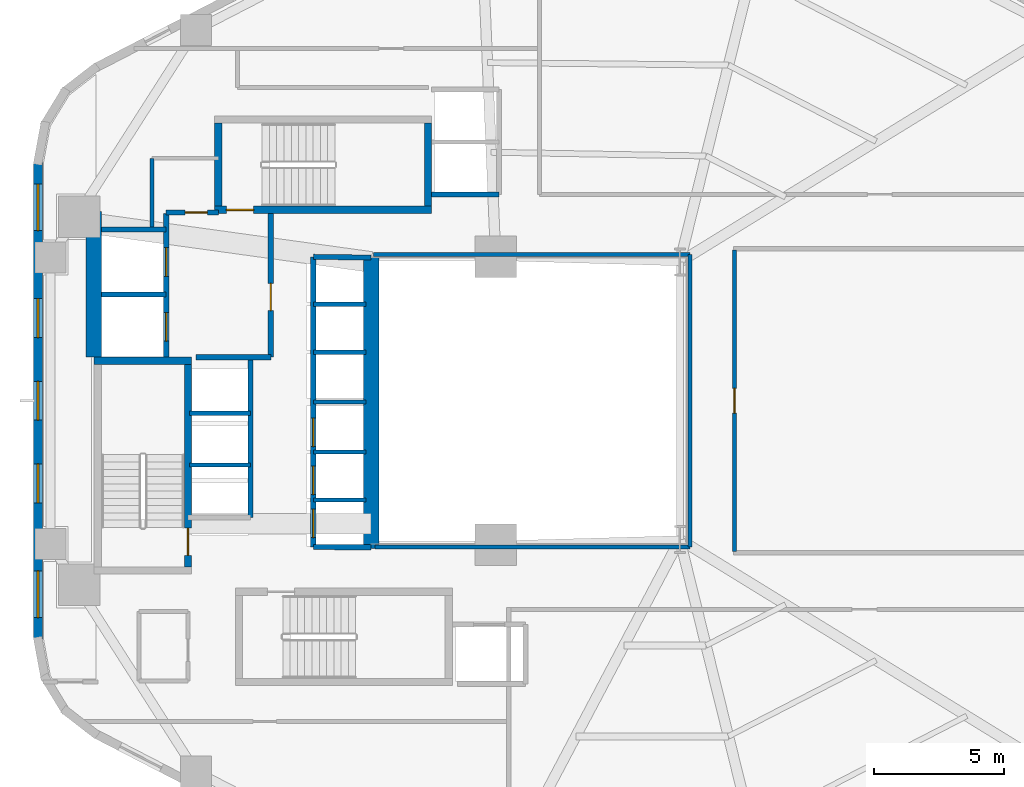
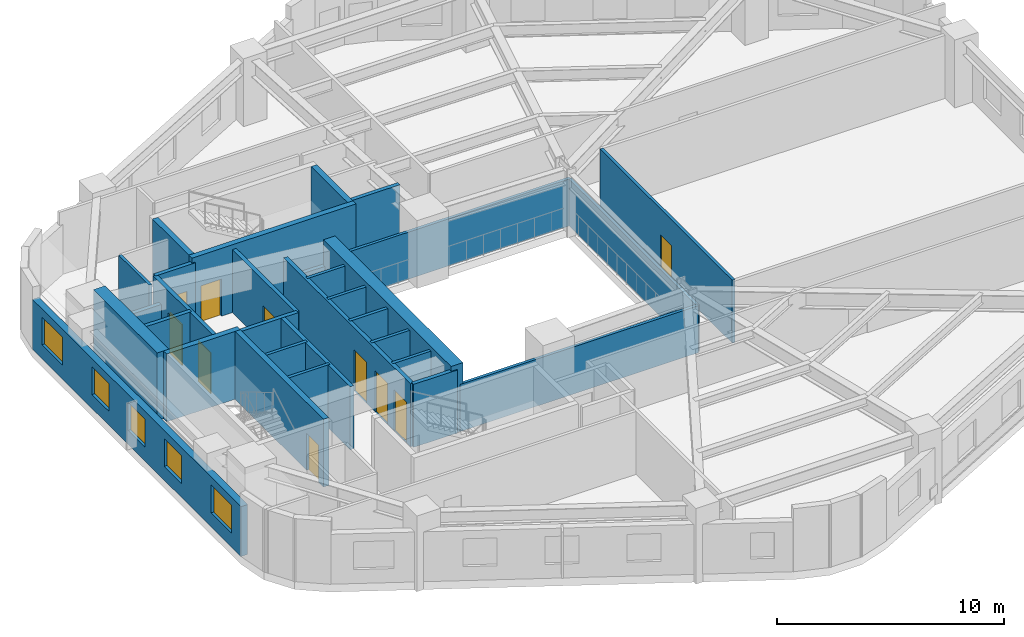
# One storey, part 3 of 7: 31 walls, 10 doors, 5 windows, 15 openings.
"""IFC4 building model written with IfcOpenShell, lengths in metres."""

from ifc_helpers import new_model, si_unit, direction, frame, frame_2d, origin, place, context, subcontext, project, spatial, rectangle, extrude, material, layer, layer_set, type_object, element, fill, save


model = new_model("IFC4")

# Units and contexts
model_context = context("Model", 3, precision=1e-05, world=origin(), true_north=direction((0.0, 1.0)))
body_context = subcontext(model_context, "Body", "Model", "MODEL_VIEW")
ifc_project = project(units=[si_unit("LENGTHUNIT", "METRE"), si_unit("AREAUNIT", "SQUARE_METRE"), si_unit("VOLUMEUNIT", "CUBIC_METRE"), si_unit("PLANEANGLEUNIT", "RADIAN"), si_unit("MASSUNIT", "GRAM", prefix="KILO"), si_unit("THERMODYNAMICTEMPERATUREUNIT", "KELVIN"), si_unit("POWERUNIT", "WATT")], contexts=[model_context])

# Site, building, storey
site_placement = place(None, origin())
site = spatial("IfcSite", under=ifc_project, at=site_placement, CompositionType="ELEMENT")
building_placement = place(site_placement, origin())
building = spatial("IfcBuilding", under=site, at=building_placement, Name="Skarre Station Tower", CompositionType="ELEMENT")
storey_placement = place(building_placement, frame((0.0, 0.0, 27.0)))
storey = spatial("IfcBuildingStorey", under=building, at=storey_placement, Name="L06", CompositionType="ELEMENT", Elevation=27.0)

# Walls
ifc_material_1 = material(Name="Acoustic Steel-Stud Gypsum Partition", Category="steel")
ifc_layer_1 = layer(ifc_material_1, 0.14990234375, Name="Acoustic Steel-Stud Gypsum Partition")
ifc_layer_set_1 = layer_set([ifc_layer_1], Name="Acoustic Steel-Stud Gypsum Partition")
wall_type_1 = type_object("IfcWallType", Name="Fire-Rated Corridor Acoustic Partition 150", PredefinedType="PARTITIONING", material=ifc_layer_set_1)
wall_1_placement = place(storey_placement, frame((19.10009765625, 33.35009765625, 0.0), z_axis=(0.0, 0.0, 1.0), x_axis=(0.0, -1.0, 0.0)))
element("IfcWall", 1, at=wall_1_placement, inside=storey, type_object=wall_type_1, Name="L06 Interior Partition WL-PT-L06-CNW-W", PredefinedType="PARTITIONING", context=body_context, shape_type="SweptSolid", body=[
    extrude(rectangle(XDim=2.655029296875, YDim=0.14990234375, at=frame_2d((1.32763671875, 0.0))), origin(), (0.0, 0.0, 1.0), 3.389892578125),
])
wall_2_placement = place(storey_placement, frame((27.699951171875, 18.360107421875, 0.0), z_axis=(0.0, 0.0, 1.0), x_axis=(1.0, 0.0, 0.0)))
element("IfcWall", 2, at=wall_2_placement, inside=storey, type_object=wall_type_1, Name="L06 Interior Partition WL-PT-L06-ATRW-S", PredefinedType="PARTITIONING", context=body_context, shape_type="SweptSolid", body=[
    extrude(rectangle(XDim=12.14013671875, YDim=0.14990234375, at=frame_2d((6.070068359375, 0.0))), origin(), (0.0, 0.0, 1.0), 2.531005859375),
])
wall_3_placement = place(storey_placement, frame((39.840087890625, 29.639892578125, 0.0), z_axis=(0.0, 0.0, 1.0), x_axis=(-1.0, 0.0, 0.0)))
element("IfcWall", 3, at=wall_3_placement, inside=storey, type_object=wall_type_1, Name="L06 Interior Partition WL-PT-L06-ATRW-N", PredefinedType="PARTITIONING", context=body_context, shape_type="SweptSolid", body=[
    extrude(rectangle(XDim=12.2001953125, YDim=0.14990234375, at=frame_2d((6.10009765625, 0.0))), origin(), (0.0, 0.0, 1.0), 2.531005859375),
])
wall_4_placement = place(storey_placement, frame((39.840087890625, 18.360107421875, 0.0), z_axis=(0.0, 0.0, 1.0), x_axis=(0.0, 1.0, 0.0)))
element("IfcWall", 4, at=wall_4_placement, inside=storey, type_object=wall_type_1, Name="L06 Interior Partition WL-PT-L06-ATRW-E", PredefinedType="PARTITIONING", context=body_context, shape_type="SweptSolid", body=[
    extrude(rectangle(XDim=11.27978515625, YDim=0.14990234375, at=frame_2d((5.639892578125, 0.0))), origin(), (0.0, 0.0, 1.0), 2.512939453125),
])

# Wall, opening, door
wall_5_placement = place(storey_placement, frame((41.56005859375, 18.179931640625, 0.0), z_axis=(0.0, 0.0, 1.0), x_axis=(0.0, 1.0, 0.0)))
wall_5 = element("IfcWall", 5, at=wall_5_placement, inside=storey, type_object=wall_type_1, Name="L06 Interior Partition WL-PT-L06-EW1-CW", PredefinedType="PARTITIONING", context=body_context, shape_type="SweptSolid", body=[
    extrude(rectangle(XDim=11.64013671875, YDim=0.14990234375, at=frame_2d((5.820068359375, 0.0))), origin(), (0.0, 0.0, 1.0), 3.389892578125),
])
opening_1_placement = place(wall_5_placement, frame((5.340087890625, 0.0, 0.0)))
opening_1 = element("IfcOpeningElement", 6, at=opening_1_placement, cuts=wall_5, Name="Opening DR-FD60", PredefinedType="OPENING", context=body_context, shape_type="SweptSolid", body=[
    extrude(rectangle(XDim=0.9599609375, YDim=2.0, at=frame_2d((0.47998046875, 1.0))), frame((0.0, 0.0849609375, 0.0), z_axis=(0.0, -1.0, 0.0), x_axis=(1.0, 0.0, 0.0)), (0.0, 0.0, 1.0), 0.169921875),
])
ifc_material_2 = material(Name="Nordic White-Oak Veneer Solid-Core Fire Leaf", Category="wood")
door_type_1 = type_object("IfcDoorType", Name="Corridor Suite Entry Fire Door FD60 960x2150", OperationType="SINGLE_SWING_LEFT", PredefinedType="DOOR", material=ifc_material_2)
door_1_placement = place(opening_1_placement, origin())
door_1 = element("IfcDoor", 7, at=door_1_placement, inside=storey, type_object=door_type_1, Name="L06 EW1 Entry Door", OperationType="SINGLE_SWING_LEFT", OverallHeight=2.0, OverallWidth=0.9599609375, PredefinedType="DOOR", context=body_context, shape_type="SweptSolid", body=[
    extrude(rectangle(XDim=0.9599609375, YDim=2.0, at=frame_2d((0.47998046875, 1.0))), frame((0.0, 0.02490234375, 0.0), z_axis=(0.0, -1.0, 0.0), x_axis=(1.0, 0.0, 0.0)), (0.0, 0.0, 1.0), 0.050048828125),
])
fill(opening_1, door_1)

# Wall, openings, windows
ifc_material_3 = material(Name="Precast concrete C45/55", Category="concrete")
ifc_layer_2 = layer(ifc_material_3, 0.340087890625, Name="Precast concrete C45/55")
ifc_layer_set_2 = layer_set([ifc_layer_2], Name="Precast concrete C45/55")
wall_type_2 = type_object("IfcWallType", Name="Nordic Honed Precast Facet Wall 340", PredefinedType="STANDARD", material=ifc_layer_set_2)
wall_6_placement = place(storey_placement, frame((14.70703125, 14.798095703125, 0.0), z_axis=(0.0, 0.0, 1.0), x_axis=(0.0, 1.0, 0.0)))
wall_6 = element("IfcWall", 8, at=wall_6_placement, inside=storey, type_object=wall_type_2, Name="L06 Facet 2 Nordic Precast Masonry Wall", PredefinedType="STANDARD", context=body_context, shape_type="SweptSolid", body=[
    extrude(rectangle(XDim=18.40380859375, YDim=0.340087890625, at=frame_2d((9.201904296875, 0.0))), origin(), (0.0, 0.0, 1.0), 2.68408203125),
])
opening_2_placement = place(wall_6_placement, frame((0.844970703125, 0.0, 0.75)))
opening_2 = element("IfcOpeningElement", 9, at=opening_2_placement, cuts=wall_6, Name="Opening WN-Z1A", PredefinedType="OPENING", context=body_context, shape_type="SweptSolid", body=[
    extrude(rectangle(XDim=1.800048828125, YDim=1.5, at=frame_2d((0.89990234375, 0.75))), frame((0.0, 0.179931640625, 0.0), z_axis=(0.0, -1.0, 0.0), x_axis=(1.0, 0.0, 0.0)), (0.0, 0.0, 1.0), 0.360107421875),
])
opening_3_placement = place(wall_6_placement, frame((5.264892578125, 0.0, 0.75)))
opening_3 = element("IfcOpeningElement", 10, at=opening_3_placement, cuts=wall_6, Name="Opening WN-Z1B", PredefinedType="OPENING", context=body_context, shape_type="SweptSolid", body=[
    extrude(rectangle(XDim=1.5, YDim=1.5, at=frame_2d((0.75, 0.75))), frame((0.0, 0.179931640625, 0.0), z_axis=(0.0, -1.0, 0.0), x_axis=(1.0, 0.0, 0.0)), (0.0, 0.0, 1.0), 0.360107421875),
])
opening_4_placement = place(wall_6_placement, frame((8.451904296875, 0.0, 0.75)))
opening_4 = element("IfcOpeningElement", 11, at=opening_4_placement, cuts=wall_6, Name="Opening WN-Z1B", PredefinedType="OPENING", context=body_context, shape_type="SweptSolid", body=[
    extrude(rectangle(XDim=1.5, YDim=1.5, at=frame_2d((0.75, 0.75))), frame((0.0, 0.179931640625, 0.0), z_axis=(0.0, -1.0, 0.0), x_axis=(1.0, 0.0, 0.0)), (0.0, 0.0, 1.0), 0.360107421875),
])
opening_5_placement = place(wall_6_placement, frame((11.638916015625, 0.0, 0.75)))
opening_5 = element("IfcOpeningElement", 12, at=opening_5_placement, cuts=wall_6, Name="Opening WN-Z1B", PredefinedType="OPENING", context=body_context, shape_type="SweptSolid", body=[
    extrude(rectangle(XDim=1.5, YDim=1.5, at=frame_2d((0.75, 0.75))), frame((0.0, 0.179931640625, 0.0), z_axis=(0.0, -1.0, 0.0), x_axis=(1.0, 0.0, 0.0)), (0.0, 0.0, 1.0), 0.360107421875),
])
opening_6_placement = place(wall_6_placement, frame((15.758056640625, 0.0, 0.75)))
opening_6 = element("IfcOpeningElement", 13, at=opening_6_placement, cuts=wall_6, Name="Opening WN-Z1A", PredefinedType="OPENING", context=body_context, shape_type="SweptSolid", body=[
    extrude(rectangle(XDim=1.800048828125, YDim=1.5, at=frame_2d((0.89990234375, 0.75))), frame((0.0, 0.179931640625, 0.0), z_axis=(0.0, -1.0, 0.0), x_axis=(1.0, 0.0, 0.0)), (0.0, 0.0, 1.0), 0.360107421875),
])
ifc_material_4 = material(Name="Low-Iron Triple Glazing with Bronze Anodized Frame", Category="glass")
window_type_1 = type_object("IfcWindowType", Name="Nordic Punched Triple-Glazed Window 1500x1500", PartitioningType="SINGLE_PANEL", PredefinedType="WINDOW", material=ifc_material_4)
window_1_placement = place(opening_3_placement, origin())
window_1 = element("IfcWindow", 14, at=window_1_placement, inside=storey, type_object=window_type_1, Name="L06 Facade Window WL-FAC-L06-F2-2", OverallHeight=1.5, OverallWidth=1.5, PartitioningType="SINGLE_PANEL", PredefinedType="WINDOW", context=body_context, shape_type="SweptSolid", body=[
    extrude(rectangle(XDim=1.5, YDim=1.5, at=frame_2d((0.75, 0.75))), frame((0.0, 0.030029296875, 0.0), z_axis=(0.0, -1.0, 0.0), x_axis=(1.0, 0.0, 0.0)), (0.0, 0.0, 1.0), 0.06005859375),
])
fill(opening_3, window_1)
window_2_placement = place(opening_4_placement, origin())
window_2 = element("IfcWindow", 15, at=window_2_placement, inside=storey, type_object=window_type_1, Name="L06 Facade Window WL-FAC-L06-F2-3", OverallHeight=1.5, OverallWidth=1.5, PartitioningType="SINGLE_PANEL", PredefinedType="WINDOW", context=body_context, shape_type="SweptSolid", body=[
    extrude(rectangle(XDim=1.5, YDim=1.5, at=frame_2d((0.75, 0.75))), frame((0.0, 0.030029296875, 0.0), z_axis=(0.0, -1.0, 0.0), x_axis=(1.0, 0.0, 0.0)), (0.0, 0.0, 1.0), 0.06005859375),
])
fill(opening_4, window_2)
window_3_placement = place(opening_5_placement, origin())
window_3 = element("IfcWindow", 16, at=window_3_placement, inside=storey, type_object=window_type_1, Name="L06 Facade Window WL-FAC-L06-F2-4", OverallHeight=1.5, OverallWidth=1.5, PartitioningType="SINGLE_PANEL", PredefinedType="WINDOW", context=body_context, shape_type="SweptSolid", body=[
    extrude(rectangle(XDim=1.5, YDim=1.5, at=frame_2d((0.75, 0.75))), frame((0.0, 0.030029296875, 0.0), z_axis=(0.0, -1.0, 0.0), x_axis=(1.0, 0.0, 0.0)), (0.0, 0.0, 1.0), 0.06005859375),
])
fill(opening_5, window_3)
window_type_2 = type_object("IfcWindowType", Name="Nordic Punched Triple-Glazed Window 1800x1500", PartitioningType="SINGLE_PANEL", PredefinedType="WINDOW", material=ifc_material_4)
window_4_placement = place(opening_2_placement, origin())
window_4 = element("IfcWindow", 17, at=window_4_placement, inside=storey, type_object=window_type_2, Name="L06 Facade Window WL-FAC-L06-F2-1", OverallHeight=1.5, OverallWidth=1.800048828125, PartitioningType="SINGLE_PANEL", PredefinedType="WINDOW", context=body_context, shape_type="SweptSolid", body=[
    extrude(rectangle(XDim=1.800048828125, YDim=1.5, at=frame_2d((0.89990234375, 0.75))), frame((0.0, 0.030029296875, 0.0), z_axis=(0.0, -1.0, 0.0), x_axis=(1.0, 0.0, 0.0)), (0.0, 0.0, 1.0), 0.06005859375),
])
fill(opening_2, window_4)
window_5_placement = place(opening_6_placement, origin())
window_5 = element("IfcWindow", 18, at=window_5_placement, inside=storey, type_object=window_type_2, Name="L06 Facade Window WL-FAC-L06-F2-5", OverallHeight=1.5, OverallWidth=1.800048828125, PartitioningType="SINGLE_PANEL", PredefinedType="WINDOW", context=body_context, shape_type="SweptSolid", body=[
    extrude(rectangle(XDim=1.800048828125, YDim=1.5, at=frame_2d((0.89990234375, 0.75))), frame((0.0, 0.030029296875, 0.0), z_axis=(0.0, -1.0, 0.0), x_axis=(1.0, 0.0, 0.0)), (0.0, 0.0, 1.0), 0.06005859375),
])
fill(opening_6, window_5)

# Wall
ifc_material_5 = material(Name="Concrete C50/60", Category="concrete")
ifc_layer_3 = layer(ifc_material_5, 0.280029296875, Name="Concrete C50/60")
ifc_layer_set_3 = layer_set([ifc_layer_3], Name="Concrete C50/60")
wall_type_3 = type_object("IfcWallType", Name="RC Core Shear Wall 280", PredefinedType="SHEAR", material=ifc_layer_set_3)
wall_7_placement = place(storey_placement, frame((20.6298828125, 25.5400390625, 0.0), z_axis=(0.0, 0.0, 1.0), x_axis=(-1.0, 0.0, 0.0)))
element("IfcWall", 19, at=wall_7_placement, inside=storey, type_object=wall_type_3, Name="L06 Stair ST-1 North Shear Wall", PredefinedType="SHEAR", context=body_context, shape_type="SweptSolid", body=[
    extrude(rectangle(XDim=3.759765625, YDim=0.280029296875, at=frame_2d((1.8798828125, 0.0))), origin(), (0.0, 0.0, 1.0), 3.64990234375),
])

# Wall, opening, door
wall_8_placement = place(storey_placement, frame((20.489990234375, 17.60009765625, 0.0), z_axis=(0.0, 0.0, 1.0), x_axis=(0.0, 1.0, 0.0)))
wall_8 = element("IfcWall", 20, at=wall_8_placement, inside=storey, type_object=wall_type_3, Name="L06 Stair ST-1 East Shear Wall", PredefinedType="SHEAR", context=body_context, shape_type="SweptSolid", body=[
    extrude(rectangle(XDim=7.7998046875, YDim=0.280029296875, at=frame_2d((3.89990234375, 0.0))), origin(), (0.0, 0.0, 1.0), 3.64990234375),
])
opening_7_placement = place(wall_8_placement, frame((0.43994140625, 0.0, 0.0)))
opening_7 = element("IfcOpeningElement", 21, at=opening_7_placement, cuts=wall_8, Name="Opening DR-FD90", PredefinedType="OPENING", context=body_context, shape_type="SweptSolid", body=[
    extrude(rectangle(XDim=1.050048828125, YDim=2.0, at=frame_2d((0.52490234375, 1.0))), frame((0.0, 0.14990234375, 0.0), z_axis=(0.0, -1.0, 0.0), x_axis=(1.0, 0.0, 0.0)), (0.0, 0.0, 1.0), 0.300048828125),
])
ifc_material_6 = material(Name="Fire-Rated Insulated Steel Frame & Timber Core Leaf", Category="steel")
door_type_2 = type_object("IfcDoorType", Name="Stair & FSAE Lobby Fire Door FD90 1050x2150", OperationType="SINGLE_SWING_RIGHT", PredefinedType="DOOR", material=ifc_material_6)
door_2_placement = place(opening_7_placement, origin())
door_2 = element("IfcDoor", 22, at=door_2_placement, inside=storey, type_object=door_type_2, Name="L06 Stair ST-1 Exit Door", OperationType="SINGLE_SWING_RIGHT", OverallHeight=2.0, OverallWidth=1.050048828125, PredefinedType="DOOR", context=body_context, shape_type="SweptSolid", body=[
    extrude(rectangle(XDim=1.050048828125, YDim=2.0, at=frame_2d((0.52490234375, 1.0))), frame((0.0, 0.02490234375, 0.0), z_axis=(0.0, -1.0, 0.0), x_axis=(1.0, 0.0, 0.0)), (0.0, 0.0, 1.0), 0.050048828125),
])
fill(opening_7, door_2)

wall_9_placement = place(storey_placement, frame((21.52001953125, 31.360107421875, 0.0), z_axis=(0.0, 0.0, 1.0), x_axis=(1.0, 0.0, 0.0)))
wall_9 = element("IfcWall", 23, at=wall_9_placement, inside=storey, type_object=wall_type_3, Name="L06 Stair ST-3 South Shear Wall", PredefinedType="SHEAR", context=body_context, shape_type="SweptSolid", body=[
    extrude(rectangle(XDim=8.35986328125, YDim=0.280029296875, at=frame_2d((4.179931640625, 0.0))), origin(), (0.0, 0.0, 1.0), 3.64990234375),
])
opening_8_placement = place(wall_9_placement, frame((0.449951171875, 0.0, 0.0)))
opening_8 = element("IfcOpeningElement", 24, at=opening_8_placement, cuts=wall_9, Name="Opening DR-FD90", PredefinedType="OPENING", context=body_context, shape_type="SweptSolid", body=[
    extrude(rectangle(XDim=1.050048828125, YDim=2.0, at=frame_2d((0.52490234375, 1.0))), frame((0.0, 0.14990234375, 0.0), z_axis=(0.0, -1.0, 0.0), x_axis=(1.0, 0.0, 0.0)), (0.0, 0.0, 1.0), 0.300048828125),
])
door_3_placement = place(opening_8_placement, origin())
door_3 = element("IfcDoor", 25, at=door_3_placement, inside=storey, type_object=door_type_2, Name="L06 Stair ST-3 & FSAE Lobby Direct Exit Door", OperationType="SINGLE_SWING_LEFT", OverallHeight=2.0, OverallWidth=1.050048828125, PredefinedType="DOOR", context=body_context, shape_type="SweptSolid", body=[
    extrude(rectangle(XDim=1.050048828125, YDim=2.0, at=frame_2d((0.52490234375, 1.0))), frame((0.0, 0.02490234375, 0.0), z_axis=(0.0, -1.0, 0.0), x_axis=(1.0, 0.0, 0.0)), (0.0, 0.0, 1.0), 0.050048828125),
])
fill(opening_8, door_3)

# Walls
for number, where, z_axis, x_axis, name in (
    (26, (21.659912109375, 34.699951171875, 0.0), (0.0, 0.0, 1.0), (0.0, -1.0, 0.0), "L06 Stair ST-3 West Shear Wall"),
    (27, (29.739990234375, 31.5, 0.0), (0.0, 0.0, 1.0), (0.0, 1.0, 0.0), "L06 Stair ST-3 East Shear Wall"),
):
    element("IfcWall", number, at=place(storey_placement, frame(where, z_axis=z_axis, x_axis=x_axis)), inside=storey, type_object=wall_type_3, Name=name, PredefinedType="SHEAR", context=body_context, shape_type="SweptSolid", body=[
        extrude(rectangle(XDim=3.199951171875, YDim=0.280029296875, at=frame_2d((1.60009765625, 0.0))), origin(), (0.0, 0.0, 1.0), 3.64990234375),
    ])
ifc_material_7 = material(Name="Concrete C70/85", Category="concrete")
ifc_layer_4 = layer(ifc_material_7, 0.60009765625, Name="Concrete C70/85")
ifc_layer_set_4 = layer_set([ifc_layer_4], Name="Concrete C70/85")
wall_type_4 = type_object("IfcWallType", Name="RC Core Shear Wall 600", PredefinedType="SHEAR", material=ifc_layer_set_4)
wall_10_placement = place(storey_placement, frame((16.85009765625, 25.679931640625, 0.0), z_axis=(0.0, 0.0, 1.0), x_axis=(0.0, 1.0, 0.0)))
element("IfcWall", 28, at=wall_10_placement, inside=storey, type_object=wall_type_4, Name="L06 Core West-North Shear Wall", PredefinedType="SHEAR", context=body_context, shape_type="SweptSolid", body=[
    extrude(rectangle(XDim=5.6201171875, YDim=0.60009765625, at=frame_2d((2.81005859375, 0.0))), origin(), (0.0, 0.0, 1.0), 3.64990234375),
])
wall_11_placement = place(storey_placement, frame((27.550048828125, 29.550048828125, 0.0), z_axis=(0.0, 0.0, 1.0), x_axis=(0.0, -1.0, 0.0)))
element("IfcWall", 29, at=wall_11_placement, inside=storey, type_object=wall_type_4, Name="L06 Core East Atrium Shear Wall", PredefinedType="SHEAR", context=body_context, shape_type="SweptSolid", body=[
    extrude(rectangle(XDim=11.25, YDim=0.60009765625, at=frame_2d((5.625, 0.0))), origin(), (0.0, 0.0, 1.0), 3.64990234375),
])

# Wall, openings, doors
ifc_material_8 = material(Name="Gypsum Concrete Shaft Assembly C30/37", Category="concrete")
ifc_layer_5 = layer(ifc_material_8, 0.199951171875, Name="Gypsum Concrete Shaft Assembly C30/37")
ifc_layer_set_5 = layer_set([ifc_layer_5], Name="Gypsum Concrete Shaft Assembly C30/37")
wall_type_5 = type_object("IfcWallType", Name="Shaft & Core Fire Partition 200", PredefinedType="PARTITIONING", material=ifc_layer_set_5)
wall_12_placement = place(storey_placement, frame((19.64990234375, 25.679931640625, 0.0), z_axis=(0.0, 0.0, 1.0), x_axis=(0.0, 1.0, 0.0)))
wall_12 = element("IfcWall", 30, at=wall_12_placement, inside=storey, type_object=wall_type_5, Name="L06 Interior Partition WL-PT-L06-FSAE-W", PredefinedType="PARTITIONING", context=body_context, shape_type="SweptSolid", body=[
    extrude(rectangle(XDim=5.5400390625, YDim=0.199951171875, at=frame_2d((2.77001953125, 0.0))), origin(), (0.0, 0.0, 1.0), 3.389892578125),
])
opening_9_placement = place(wall_12_placement, frame((0.6201171875, 0.0, 0.0)))
opening_9 = element("IfcOpeningElement", 31, at=opening_9_placement, cuts=wall_12, Name="Opening LD-FF1", PredefinedType="OPENING", context=body_context, shape_type="SweptSolid", body=[
    extrude(rectangle(XDim=1.10009765625, YDim=2.199951171875, at=frame_2d((0.550048828125, 1.10009765625))), frame((0.0, 0.10986328125, 0.0), z_axis=(0.0, -1.0, 0.0), x_axis=(1.0, 0.0, 0.0)), (0.0, 0.0, 1.0), 0.219970703125),
])
opening_10_placement = place(wall_12_placement, frame((3.1201171875, 0.0, 0.0)))
opening_10 = element("IfcOpeningElement", 32, at=opening_10_placement, cuts=wall_12, Name="Opening LD-FF2", PredefinedType="OPENING", context=body_context, shape_type="SweptSolid", body=[
    extrude(rectangle(XDim=1.10009765625, YDim=2.199951171875, at=frame_2d((0.550048828125, 1.10009765625))), frame((0.0, 0.10986328125, 0.0), z_axis=(0.0, -1.0, 0.0), x_axis=(1.0, 0.0, 0.0)), (0.0, 0.0, 1.0), 0.219970703125),
])
ifc_material_9 = material(Name="Fire-Rated Stainless Steel Grade 316L Sliding Leaves", Category="steel")
door_type_3 = type_object("IfcDoorType", Name="Fire Service Access Elevator Sliding Landing Door 1100x2200", OperationType="SLIDING_TO_LEFT", PredefinedType="DOOR", material=ifc_material_9)
door_4_placement = place(opening_9_placement, origin())
door_4 = element("IfcDoor", 33, at=door_4_placement, inside=storey, type_object=door_type_3, Name="L06 Firefighting Lift LF-FF1 Landing Door", OperationType="SLIDING_TO_LEFT", OverallHeight=2.199951171875, OverallWidth=1.10009765625, PredefinedType="DOOR", context=body_context, shape_type="SweptSolid", body=[
    extrude(rectangle(XDim=1.10009765625, YDim=2.199951171875, at=frame_2d((0.550048828125, 1.10009765625))), frame((0.0, 0.02490234375, 0.0), z_axis=(0.0, -1.0, 0.0), x_axis=(1.0, 0.0, 0.0)), (0.0, 0.0, 1.0), 0.050048828125),
])
fill(opening_9, door_4)
door_5_placement = place(opening_10_placement, origin())
door_5 = element("IfcDoor", 34, at=door_5_placement, inside=storey, type_object=door_type_3, Name="L06 Firefighting Lift LF-FF2 Landing Door", OperationType="SLIDING_TO_LEFT", OverallHeight=2.199951171875, OverallWidth=1.10009765625, PredefinedType="DOOR", context=body_context, shape_type="SweptSolid", body=[
    extrude(rectangle(XDim=1.10009765625, YDim=2.199951171875, at=frame_2d((0.550048828125, 1.10009765625))), frame((0.0, 0.02490234375, 0.0), z_axis=(0.0, -1.0, 0.0), x_axis=(1.0, 0.0, 0.0)), (0.0, 0.0, 1.0), 0.050048828125),
])
fill(opening_10, door_5)

# Wall
wall_13_placement = place(storey_placement, frame((20.79296875, 25.679931640625, 0.0), z_axis=(0.0, 0.0, 1.0), x_axis=(1.0, 0.0, 0.0)))
element("IfcWall", 35, at=wall_13_placement, inside=storey, type_object=wall_type_5, Name="L06 Interior Partition WL-PT-L06-FSAE-S", PredefinedType="PARTITIONING", context=body_context, shape_type="SweptSolid", body=[
    extrude(rectangle(XDim=2.886962890625, YDim=0.199951171875, at=frame_2d((1.443359375, 0.0))), origin(), (0.0, 0.0, 1.0), 3.389892578125),
])

# Wall, opening, door
wall_14_placement = place(storey_placement, frame((23.679931640625, 25.679931640625, 0.0), z_axis=(0.0, 0.0, 1.0), x_axis=(0.0, 1.0, 0.0)))
wall_14 = element("IfcWall", 36, at=wall_14_placement, inside=storey, type_object=wall_type_5, Name="L06 Interior Partition WL-PT-L06-FSAE-E", PredefinedType="PARTITIONING", context=body_context, shape_type="SweptSolid", body=[
    extrude(rectangle(XDim=5.5400390625, YDim=0.199951171875, at=frame_2d((2.77001953125, 0.0))), origin(), (0.0, 0.0, 1.0), 3.389892578125),
])
opening_11_placement = place(wall_14_placement, frame((1.800048828125, 0.0, 0.0)))
opening_11 = element("IfcOpeningElement", 37, at=opening_11_placement, cuts=wall_14, Name="Opening DR-FD90", PredefinedType="OPENING", context=body_context, shape_type="SweptSolid", body=[
    extrude(rectangle(XDim=1.050048828125, YDim=2.0, at=frame_2d((0.52490234375, 1.0))), frame((0.0, 0.10986328125, 0.0), z_axis=(0.0, -1.0, 0.0), x_axis=(1.0, 0.0, 0.0)), (0.0, 0.0, 1.0), 0.219970703125),
])
door_6_placement = place(opening_11_placement, origin())
door_6 = element("IfcDoor", 38, at=door_6_placement, inside=storey, type_object=door_type_2, Name="L06 FSAE Lobby Fire Door", OperationType="SINGLE_SWING_RIGHT", OverallHeight=2.0, OverallWidth=1.050048828125, PredefinedType="DOOR", context=body_context, shape_type="SweptSolid", body=[
    extrude(rectangle(XDim=1.050048828125, YDim=2.0, at=frame_2d((0.52490234375, 1.0))), frame((0.0, 0.02490234375, 0.0), z_axis=(0.0, -1.0, 0.0), x_axis=(1.0, 0.0, 0.0)), (0.0, 0.0, 1.0), 0.050048828125),
])
fill(opening_11, door_6)

wall_15_placement = place(storey_placement, frame((21.659912109375, 31.260009765625, 0.0), z_axis=(0.0, 0.0, 1.0), x_axis=(-1.0, 0.0, 0.0)))
wall_15 = element("IfcWall", 39, at=wall_15_placement, inside=storey, type_object=wall_type_5, Name="L06 Interior Partition WL-PT-L06-FSAE-N", PredefinedType="PARTITIONING", context=body_context, shape_type="SweptSolid", body=[
    extrude(rectangle(XDim=2.010009765625, YDim=0.199951171875, at=frame_2d((1.0048828125, 0.0))), origin(), (0.0, 0.0, 1.0), 3.389892578125),
])
opening_12_placement = place(wall_15_placement, frame((0.419921875, 0.0, 0.0)))
opening_12 = element("IfcOpeningElement", 40, at=opening_12_placement, cuts=wall_15, Name="Opening DR-SVC86", PredefinedType="OPENING", context=body_context, shape_type="SweptSolid", body=[
    extrude(rectangle(XDim=0.860107421875, YDim=2.0, at=frame_2d((0.43017578125, 1.0))), frame((0.0, 0.10986328125, 0.0), z_axis=(0.0, -1.0, 0.0), x_axis=(1.0, 0.0, 0.0)), (0.0, 0.0, 1.0), 0.219970703125),
])
ifc_material_10 = material(Name="Powder-Coated Hollow-Metal Acoustic Fire Leaf", Category="steel")
door_type_4 = type_object("IfcDoorType", Name="Compact Riser Fire Door FD60 860x2100", OperationType="SINGLE_SWING_LEFT", PredefinedType="DOOR", material=ifc_material_10)
door_7_placement = place(opening_12_placement, origin())
door_7 = element("IfcDoor", 41, at=door_7_placement, inside=storey, type_object=door_type_4, Name="L06 Core Service Room Lobby Door", OperationType="SINGLE_SWING_LEFT", OverallHeight=2.0, OverallWidth=0.860107421875, PredefinedType="DOOR", context=body_context, shape_type="SweptSolid", body=[
    extrude(rectangle(XDim=0.860107421875, YDim=2.0, at=frame_2d((0.43017578125, 1.0))), frame((0.0, 0.02490234375, 0.0), z_axis=(0.0, -1.0, 0.0), x_axis=(1.0, 0.0, 0.0)), (0.0, 0.0, 1.0), 0.050048828125),
])
fill(opening_12, door_7)

# Walls
wall_16_placement = place(storey_placement, frame((17.14990234375, 28.10009765625, 0.0), z_axis=(0.0, 0.0, 1.0), x_axis=(1.0, 0.0, 0.0)))
element("IfcWall", 42, at=wall_16_placement, inside=storey, type_object=wall_type_5, Name="L06 Interior Partition WL-PT-L06-FF-DIV", PredefinedType="PARTITIONING", context=body_context, shape_type="SweptSolid", body=[
    extrude(rectangle(XDim=2.5, YDim=0.199951171875, at=frame_2d((1.25, 0.0))), origin(), (0.0, 0.0, 1.0), 3.389892578125),
])
wall_17_placement = place(storey_placement, frame((19.64990234375, 30.60009765625, 0.0), z_axis=(0.0, 0.0, 1.0), x_axis=(-1.0, 0.0, 0.0)))
element("IfcWall", 43, at=wall_17_placement, inside=storey, type_object=wall_type_5, Name="L06 Interior Partition WL-PT-L06-FF-N", PredefinedType="PARTITIONING", context=body_context, shape_type="SweptSolid", body=[
    extrude(rectangle(XDim=2.5, YDim=0.199951171875, at=frame_2d((1.25, 0.0))), origin(), (0.0, 0.0, 1.0), 2.2900390625),
])
wall_18_placement = place(storey_placement, frame((32.47998046875, 31.949951171875, 0.0), z_axis=(0.0, 0.0, 1.0), x_axis=(-1.0, 0.0, 0.0)))
element("IfcWall", 44, at=wall_18_placement, inside=storey, type_object=wall_type_5, Name="L06 Interior Partition WL-PT-L06-EX-S", PredefinedType="PARTITIONING", context=body_context, shape_type="SweptSolid", body=[
    extrude(rectangle(XDim=2.60009765625, YDim=0.199951171875, at=frame_2d((1.300048828125, 0.0))), origin(), (0.0, 0.0, 1.0), 3.389892578125),
])
wall_19_placement = place(storey_placement, frame((22.89990234375, 19.5, 0.0), z_axis=(0.0, 0.0, 1.0), x_axis=(0.0, 1.0, 0.0)))
element("IfcWall", 45, at=wall_19_placement, inside=storey, type_object=wall_type_5, Name="L06 Interior Partition WL-PT-L06-B3-E", PredefinedType="PARTITIONING", context=body_context, shape_type="SweptSolid", body=[
    extrude(rectangle(XDim=6.0849609375, YDim=0.199951171875, at=frame_2d((3.04248046875, 0.0))), origin(), (0.0, 0.0, 1.0), 3.389892578125),
])
for number, where, z_axis, x_axis, name in (
    (46, (20.550048828125, 21.52001953125, 0.0), (0.0, 0.0, 1.0), (1.0, 0.0, 0.0), "L06 Interior Partition WL-PT-L06-B3-D1"),
    (47, (20.550048828125, 23.52001953125, 0.0), (0.0, 0.0, 1.0), (1.0, 0.0, 0.0), "L06 Interior Partition WL-PT-L06-B3-D2"),
):
    element("IfcWall", number, at=place(storey_placement, frame(where, z_axis=z_axis, x_axis=x_axis)), inside=storey, type_object=wall_type_5, Name=name, PredefinedType="PARTITIONING", context=body_context, shape_type="SweptSolid", body=[
        extrude(rectangle(XDim=2.349853515625, YDim=0.159912109375, at=frame_2d((1.1748046875, 0.0))), origin(), (0.0, 0.0, 1.0), 3.389892578125),
    ])

# Wall, openings, doors
wall_20_placement = place(storey_placement, frame((25.320068359375, 29.550048828125, 0.0), z_axis=(0.0, 0.0, 1.0), x_axis=(0.0, -1.0, 0.0)))
wall_20 = element("IfcWall", 48, at=wall_20_placement, inside=storey, type_object=wall_type_5, Name="L06 Interior Partition WL-PT-L06-B12-W", PredefinedType="PARTITIONING", context=body_context, shape_type="SweptSolid", body=[
    extrude(rectangle(XDim=11.18994140625, YDim=0.199951171875, at=frame_2d((5.594970703125, 0.0))), origin(), (0.0, 0.0, 1.0), 3.389892578125),
])
opening_13_placement = place(wall_20_placement, frame((6.219970703125, 0.0, 0.0)))
opening_13 = element("IfcOpeningElement", 49, at=opening_13_placement, cuts=wall_20, Name="Opening LD-P3", PredefinedType="OPENING", context=body_context, shape_type="SweptSolid", body=[
    extrude(rectangle(XDim=1.10009765625, YDim=2.199951171875, at=frame_2d((0.550048828125, 1.10009765625))), frame((0.0, 0.10986328125, 0.0), z_axis=(0.0, -1.0, 0.0), x_axis=(1.0, 0.0, 0.0)), (0.0, 0.0, 1.0), 0.219970703125),
])
opening_14_placement = place(wall_20_placement, frame((8.070068359375, 0.0, 0.0)))
opening_14 = element("IfcOpeningElement", 50, at=opening_14_placement, cuts=wall_20, Name="Opening LD-P2", PredefinedType="OPENING", context=body_context, shape_type="SweptSolid", body=[
    extrude(rectangle(XDim=1.10009765625, YDim=2.199951171875, at=frame_2d((0.550048828125, 1.10009765625))), frame((0.0, 0.10986328125, 0.0), z_axis=(0.0, -1.0, 0.0), x_axis=(1.0, 0.0, 0.0)), (0.0, 0.0, 1.0), 0.219970703125),
])
opening_15_placement = place(wall_20_placement, frame((9.72998046875, 0.0, 0.0)))
opening_15 = element("IfcOpeningElement", 51, at=opening_15_placement, cuts=wall_20, Name="Opening LD-P1", PredefinedType="OPENING", context=body_context, shape_type="SweptSolid", body=[
    extrude(rectangle(XDim=1.10009765625, YDim=2.199951171875, at=frame_2d((0.550048828125, 1.10009765625))), frame((0.0, 0.10986328125, 0.0), z_axis=(0.0, -1.0, 0.0), x_axis=(1.0, 0.0, 0.0)), (0.0, 0.0, 1.0), 0.219970703125),
])
ifc_material_11 = material(Name="Brushed Bronze Stainless Steel Sliding Leaves", Category="steel")
door_type_5 = type_object("IfcDoorType", Name="Passenger Elevator Center-Parting Sliding Door 1100x2200", OperationType="SLIDING_TO_LEFT", PredefinedType="DOOR", material=ifc_material_11)
door_8_placement = place(opening_13_placement, origin())
door_8 = element("IfcDoor", 52, at=door_8_placement, inside=storey, type_object=door_type_5, Name="L06 Passenger Lift LF-P3 Landing Door", OperationType="SLIDING_TO_LEFT", OverallHeight=2.199951171875, OverallWidth=1.10009765625, PredefinedType="DOOR", context=body_context, shape_type="SweptSolid", body=[
    extrude(rectangle(XDim=1.10009765625, YDim=2.199951171875, at=frame_2d((0.550048828125, 1.10009765625))), frame((0.0, 0.02490234375, 0.0), z_axis=(0.0, -1.0, 0.0), x_axis=(1.0, 0.0, 0.0)), (0.0, 0.0, 1.0), 0.050048828125),
])
fill(opening_13, door_8)
door_9_placement = place(opening_14_placement, origin())
door_9 = element("IfcDoor", 53, at=door_9_placement, inside=storey, type_object=door_type_5, Name="L06 Passenger Lift LF-P2 Landing Door", OperationType="SLIDING_TO_LEFT", OverallHeight=2.199951171875, OverallWidth=1.10009765625, PredefinedType="DOOR", context=body_context, shape_type="SweptSolid", body=[
    extrude(rectangle(XDim=1.10009765625, YDim=2.199951171875, at=frame_2d((0.550048828125, 1.10009765625))), frame((0.0, 0.02490234375, 0.0), z_axis=(0.0, -1.0, 0.0), x_axis=(1.0, 0.0, 0.0)), (0.0, 0.0, 1.0), 0.050048828125),
])
fill(opening_14, door_9)
door_10_placement = place(opening_15_placement, origin())
door_10 = element("IfcDoor", 54, at=door_10_placement, inside=storey, type_object=door_type_5, Name="L06 Passenger Lift LF-P1 Landing Door", OperationType="SLIDING_TO_LEFT", OverallHeight=2.199951171875, OverallWidth=1.10009765625, PredefinedType="DOOR", context=body_context, shape_type="SweptSolid", body=[
    extrude(rectangle(XDim=1.10009765625, YDim=2.199951171875, at=frame_2d((0.550048828125, 1.10009765625))), frame((0.0, 0.02490234375, 0.0), z_axis=(0.0, -1.0, 0.0), x_axis=(1.0, 0.0, 0.0)), (0.0, 0.0, 1.0), 0.050048828125),
])
fill(opening_15, door_10)

# Walls
wall_21_placement = place(storey_placement, frame((25.320068359375, 18.360107421875, 0.0), z_axis=(0.0, 0.0, 1.0), x_axis=(0.999989925833, -0.004488678231, 0.0)))
element("IfcWall", 55, at=wall_21_placement, inside=storey, type_object=wall_type_5, Name="L06 Interior Partition WL-PT-L06-B12-S", PredefinedType="PARTITIONING", context=body_context, shape_type="SweptSolid", body=[
    extrude(rectangle(XDim=2.22998046875, YDim=0.199951171875, at=frame_2d((1.114990234375, 0.0))), origin(), (0.0, 0.0, 1.0), 3.389892578125),
])
wall_22_placement = place(storey_placement, frame((27.550048828125, 29.52001953125, 0.0), z_axis=(0.0, 0.0, 1.0), x_axis=(-0.999909343457, 0.013464949556, 0.0)))
element("IfcWall", 56, at=wall_22_placement, inside=storey, type_object=wall_type_5, Name="L06 Interior Partition WL-PT-L06-B12-N", PredefinedType="PARTITIONING", context=body_context, shape_type="SweptSolid", body=[
    extrude(rectangle(XDim=2.230224609375, YDim=0.199951171875, at=frame_2d((1.115234375, 0.0))), origin(), (0.0, 0.0, 1.0), 2.2900390625),
])
for number, where, z_axis, x_axis, name in (
    (57, (25.320068359375, 20.169921875, 0.0), (0.0, 0.0, 1.0), (1.0, 0.0, 0.0), "L06 Interior Partition WL-PT-L06-B12-D201"),
    (58, (25.320068359375, 22.02001953125, 0.0), (0.0, 0.0, 1.0), (1.0, 0.0, 0.0), "L06 Interior Partition WL-PT-L06-B12-D220"),
    (59, (25.320068359375, 23.949951171875, 0.0), (0.0, 0.0, 1.0), (1.0, 0.0, 0.0), "L06 Interior Partition WL-PT-L06-B12-D239"),
    (60, (25.320068359375, 25.8701171875, 0.0), (0.0, 0.0, 1.0), (1.0, 0.0, 0.0), "L06 Interior Partition WL-PT-L06-B12-D258"),
    (61, (25.320068359375, 27.719970703125, 0.0), (0.0, 0.0, 1.0), (1.0, 0.0, 0.0), "L06 Interior Partition WL-PT-L06-B12-D277"),
):
    element("IfcWall", number, at=place(storey_placement, frame(where, z_axis=z_axis, x_axis=x_axis)), inside=storey, type_object=wall_type_5, Name=name, PredefinedType="PARTITIONING", context=body_context, shape_type="SweptSolid", body=[
        extrude(rectangle(XDim=2.030029296875, YDim=0.159912109375, at=frame_2d((1.01513671875, 0.0))), origin(), (0.0, 0.0, 1.0), 3.389892578125),
    ])

save(model, "model.ifc")
